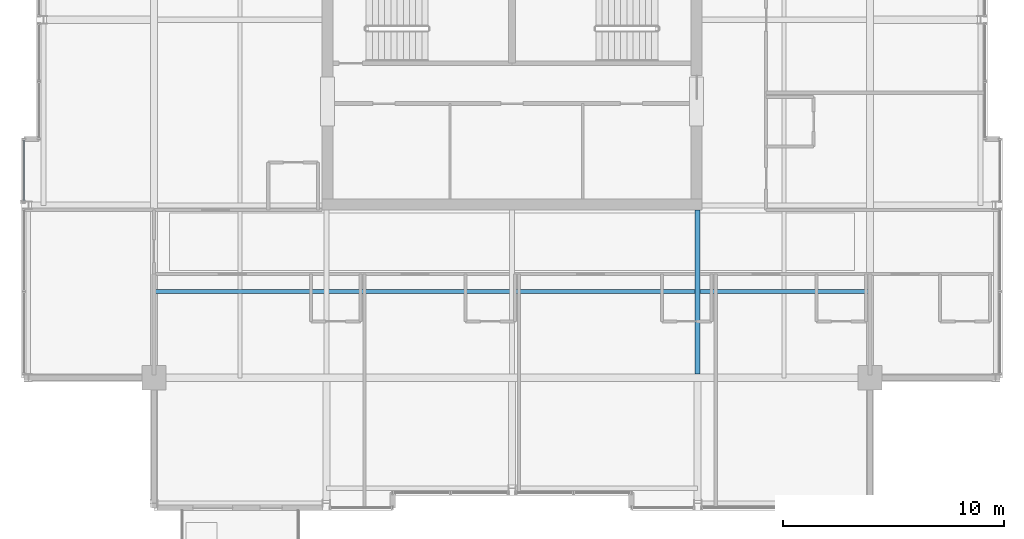
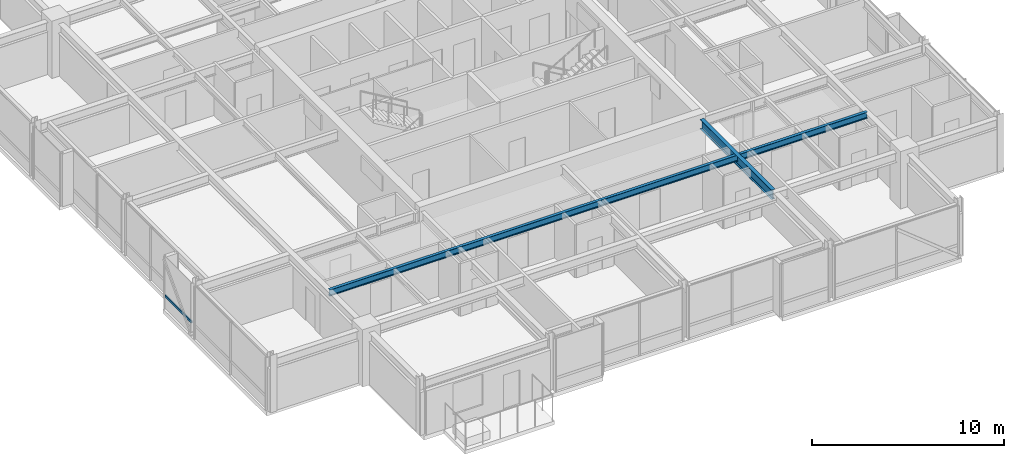
# One storey, part 10 of 34: 2 beams, 1 member, 1 element without a shape of its own.
"""IFC4 building model written with IfcOpenShell, lengths in metres."""

from ifc_helpers import new_model, si_unit, direction, frame, origin, origin_2d, place, context, subcontext, project, spatial, hollow_rectangle, i_section, extrude, material, layer, layer_set, material_profile, profile_set, type_object, element, aggregate, save


model = new_model("IFC4")

# Units and contexts
model_context = context("Model", 3, precision=1e-05, world=origin(), true_north=direction((0.0, 1.0)))
body_context = subcontext(model_context, "Body", "Model", "MODEL_VIEW")
ifc_project = project(units=[si_unit("LENGTHUNIT", "METRE"), si_unit("AREAUNIT", "SQUARE_METRE"), si_unit("VOLUMEUNIT", "CUBIC_METRE"), si_unit("PLANEANGLEUNIT", "RADIAN"), si_unit("MASSUNIT", "GRAM", prefix="KILO")], contexts=[model_context])

# Site, building, storey
site_placement = place(None, origin())
site = spatial("IfcSite", under=ifc_project, at=site_placement, CompositionType="ELEMENT")
building_placement = place(site_placement, origin())
building = spatial("IfcBuilding", under=site, at=building_placement, Name="Drelvath Grand Hotel", CompositionType="ELEMENT")
storey_placement = place(building_placement, frame((0.0, 0.0, 290.550048828125)))
storey = spatial("IfcBuildingStorey", under=building, at=storey_placement, Name="L76", CompositionType="ELEMENT", Elevation=290.550048828125)

# Beam
ifc_material_1 = material(Name="Steel ASTM A992 Gr 50", Category="steel")
ifc_material_profile_1 = material_profile(ifc_material_1, i_section(OverallWidth=0.177734375, OverallDepth=0.40673828125, WebThickness=0.0078125, FlangeThickness=0.0126953125, FilletRadius=0.014892578125, at=origin_2d()), Name="W16X40")
ifc_profile_set_1 = profile_set([ifc_material_profile_1], Name="Steel ASTM A992 Gr 50")
beam_type_1 = type_object("IfcBeamType", Name="Composite Floor Joist W16X40", PredefinedType="JOIST", material=ifc_profile_set_1)
beam_1_placement = place(storey_placement, frame((-16.199951171875, 14.699951171875, 3.146484375), z_axis=(1.0, 0.0, 0.0), x_axis=(0.0, 1.0, 0.0)))
element("IfcBeam", 1, at=beam_1_placement, inside=storey, type_object=beam_type_1, Name="L76 Floor Joist J1", PredefinedType="JOIST", context=body_context, shape_type="SweptSolid", body=[
    extrude(i_section(OverallWidth=0.177734375, OverallDepth=0.40673828125, WebThickness=0.0078125, FlangeThickness=0.0126953125, FilletRadius=0.014892578125, at=origin_2d()), origin(), (0.0, 0.0, 1.0), 32.39990234375),
])

# Curtain wall, member
ifc_material_2 = material(Name="Platinum-Mist Anodised Aluminium Frame", Category="aluminium")
ifc_layer = layer(ifc_material_2, 0.199951171875)
ifc_layer_set = layer_set([ifc_layer], Name="Platinum-Mist Anodised Aluminium Frame")
curtain_wall_type = type_object("IfcCurtainWallType", Name="Stick Curtain Wall CW-05 Platinum Mist High-Rise", PredefinedType="NOTDEFINED", material=ifc_layer_set)
curtain_wall_placement = place(storey_placement, origin())
curtain_wall = element("IfcCurtainWall", 2, at=curtain_wall_placement, inside=storey, type_object=curtain_wall_type, Name="L76 CW-05 Curtain Wall CW05-L76-WS2", PredefinedType="NOTDEFINED")
ifc_material_profile_2 = material_profile(ifc_material_2, hollow_rectangle(XDim=0.06494140625, YDim=0.159912109375, WallThickness=0.00390625, at=origin_2d()), Name="HSS160X65X4")
ifc_profile_set_2 = profile_set([ifc_material_profile_2], Name="Platinum-Mist Anodised Aluminium Frame")
member_type = type_object("IfcMemberType", Name="Curtain Wall Horizontal Transom CW-05 HSS160X65X4", PredefinedType="USERDEFINED", material=ifc_profile_set_2)
member_placement = place(storey_placement, frame((-22.080078125, 18.81005859375, 0.83740234375), z_axis=(0.0, 1.0, 0.0), x_axis=(-1.0, 0.0, 0.0)))
member = element("IfcMember", 3, at=member_placement, type_object=member_type, Name="CW05-L76-WS2 Sill Transom", ObjectType="TRANSOM", PredefinedType="USERDEFINED", context=body_context, shape_type="SweptSolid", body=[
    extrude(hollow_rectangle(XDim=0.06494140625, YDim=0.159912109375, WallThickness=0.00390625, at=origin_2d()), origin(), (0.0, 0.0, 1.0), 2.75),
])
aggregate(curtain_wall, [member])

# Beam
ifc_material_profile_3 = material_profile(ifc_material_1, i_section(OverallWidth=0.228271484375, OverallDepth=0.607666015625, WebThickness=0.01123046875, FlangeThickness=0.017333984375, FilletRadius=0.02001953125, at=origin_2d()), Name="W24X76")
ifc_profile_set_3 = profile_set([ifc_material_profile_3], Name="Steel ASTM A992 Gr 50")
beam_type_2 = type_object("IfcBeamType", Name="Primary Floor Girder W24X76", PredefinedType="BEAM", material=ifc_profile_set_3)
beam_2_placement = place(storey_placement, frame((8.39990234375, 10.9619140625, 3.046142578125), z_axis=(0.0, 1.0, 0.0), x_axis=(-1.0, 0.0, 0.0)))
element("IfcBeam", 4, at=beam_2_placement, inside=storey, type_object=beam_type_2, Name="L76 South Core Tie 6", PredefinedType="BEAM", context=body_context, shape_type="SweptSolid", body=[
    extrude(i_section(OverallWidth=0.228271484375, OverallDepth=0.607666015625, WebThickness=0.01123046875, FlangeThickness=0.017333984375, FilletRadius=0.02001953125, at=origin_2d()), origin(), (0.0, 0.0, 1.0), 7.43798828125),
])

save(model, "model.ifc")
